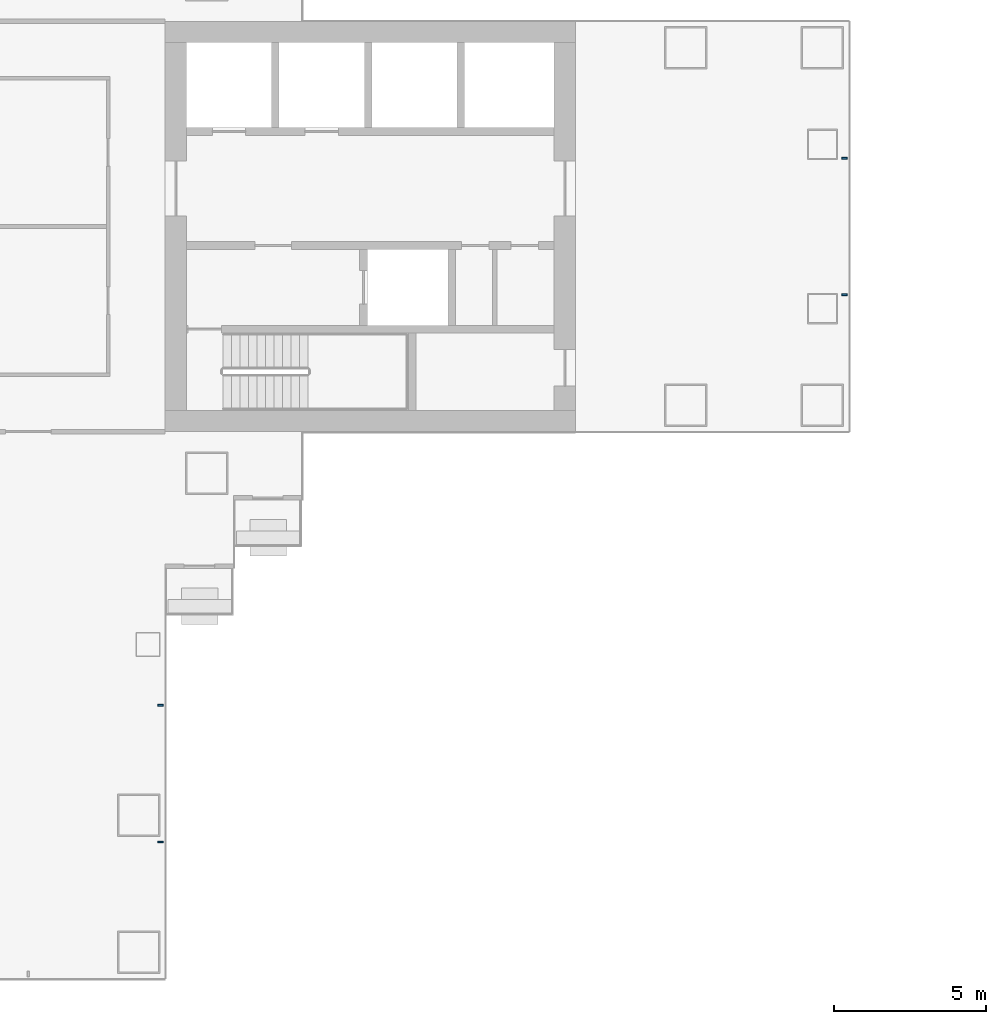
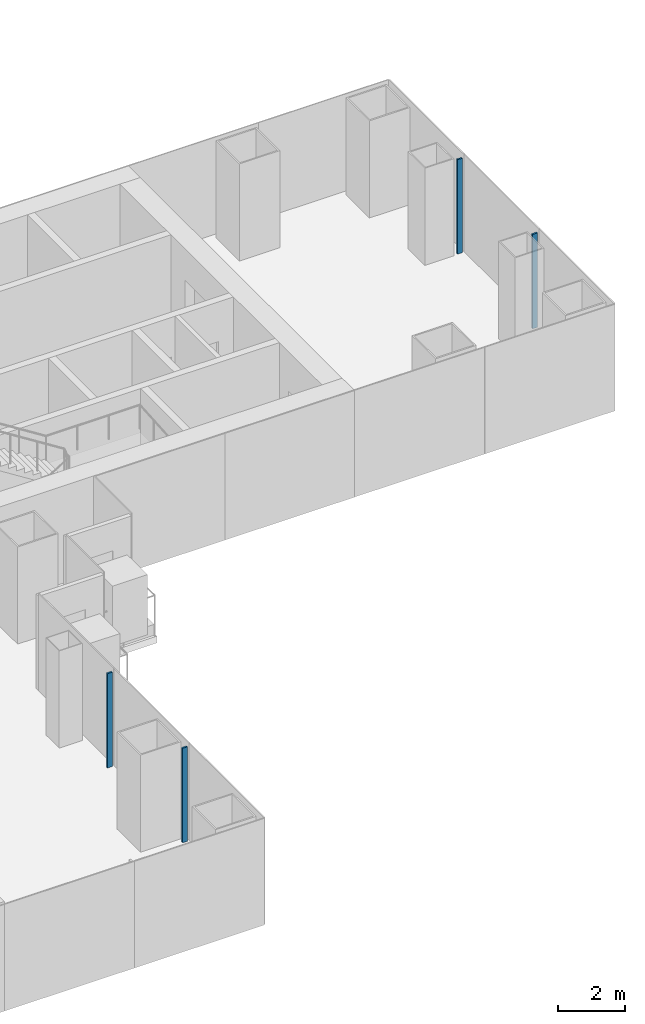
# One storey, part 5 of 21: 4 members, 2 elements without a shape of their own.
"""IFC4 building model written with IfcOpenShell, lengths in metres."""

import ifcopenshell
import ifcopenshell.guid

model = None  # the IFC model being written
_history = None  # IfcOwnerHistory: only IFC2X3 demands one
_inside = {}  # id of a spatial element -> (the spatial element, [elements in it])
_under = {}  # id of a project, library or spatial element -> (it, [spatial elements below it])
_declared = {}  # id of a project -> (the project, [libraries it declares])
_typed = {}  # id of a type object -> (the type object, [elements of that type])
_made_of = {}  # id of a material, layer set ... -> (it, [elements and type objects made of it])


def new_model(schema):
    """Start an empty IFC model of exactly this schema.

    Asked for "IFC4X3", IfcOpenShell would pick the latest addendum, in which some entities
    have other attributes; the version numbers below select the first issue.
    IFC2X3 requires an IfcOwnerHistory on every rooted entity: one is made here for all.
    """
    global model, _history
    if schema == "IFC4X3":
        model = ifcopenshell.file(schema_version=(4, 3, 0, 0))
    else:
        model = ifcopenshell.file(schema=schema)
    _inside.clear()
    _under.clear()
    _declared.clear()
    _typed.clear()
    _made_of.clear()
    _history = None
    if model.schema == "IFC2X3":
        org = make("IfcOrganization", Name="unknown")
        user = make(
            "IfcPersonAndOrganization",
            ThePerson=make("IfcPerson", FamilyName="unknown"),
            TheOrganization=org,
        )
        app = make(
            "IfcApplication",
            ApplicationDeveloper=org,
            Version="unknown",
            ApplicationFullName="unknown",
            ApplicationIdentifier="unknown",
        )
        _history = make(
            "IfcOwnerHistory",
            OwningUser=user,
            OwningApplication=app,
            ChangeAction="ADDED",
            CreationDate=0,
        )
    return model


def make(cls, **values):
    """One entity of the class cls with the attributes given. An attribute that is None is left unset."""
    return model.create_entity(
        cls, **{name: value for name, value in values.items() if value is not None}
    )


def rooted(cls, **values):
    """An entity with a GlobalId (a new one), such as an element, a storey or a relation."""
    return make(cls, GlobalId=ifcopenshell.guid.new(), OwnerHistory=_history, **values)


def si_unit(unit_type, name, prefix=None):
    """IfcSIUnit, for example si_unit("LENGTHUNIT", "METRE", prefix="MILLI")."""
    return make("IfcSIUnit", UnitType=unit_type, Prefix=prefix, Name=name)


def assignment(units):
    """IfcUnitAssignment: the units of a project."""
    return None if units is None else make("IfcUnitAssignment", Units=units)


def point(xyz):
    """IfcCartesianPoint."""
    return None if xyz is None else make("IfcCartesianPoint", Coordinates=xyz)


def direction(xyz):
    """IfcDirection."""
    return None if xyz is None else make("IfcDirection", DirectionRatios=xyz)


def frame(location, z_axis=None, x_axis=None):
    """IfcAxis2Placement3D, a coordinate frame: its origin and axes. An axis left out is left unset."""
    return make(
        "IfcAxis2Placement3D",
        Location=point(location),
        Axis=direction(z_axis),
        RefDirection=direction(x_axis),
    )


def frame_2d(location, x_axis=None):
    """IfcAxis2Placement2D, a coordinate frame in the plane: its origin and x axis."""
    return make(
        "IfcAxis2Placement2D", Location=point(location), RefDirection=direction(x_axis)
    )


def origin():
    """The frame at (0, 0, 0) with its axes left unset."""
    return frame((0.0, 0.0, 0.0))


def origin_2d():
    """The frame at (0, 0) in the plane with its x axis left unset."""
    return frame_2d((0.0, 0.0))


def place(relative_to, where):
    """IfcLocalPlacement: puts the frame where relative to a parent placement (None: the world)."""
    return make(
        "IfcLocalPlacement", PlacementRelTo=relative_to, RelativePlacement=where
    )


def context(
    kind, dimensions, precision=None, world=None, true_north=None, identifier=None
):
    """IfcGeometricRepresentationContext, for example the 3D "Model" context."""
    return make(
        "IfcGeometricRepresentationContext",
        ContextIdentifier=identifier,
        ContextType=kind,
        CoordinateSpaceDimension=dimensions,
        Precision=precision,
        WorldCoordinateSystem=world,
        TrueNorth=true_north,
    )


def subcontext(parent, identifier, kind, view, scale=None):
    """IfcGeometricRepresentationSubContext, for example "Body" below "Model"."""
    return make(
        "IfcGeometricRepresentationSubContext",
        ContextIdentifier=identifier,
        ContextType=kind,
        ParentContext=parent,
        TargetScale=scale,
        TargetView=view,
    )


def project(units=None, contexts=None):
    """IfcProject with its units and contexts."""
    return rooted(
        "IfcProject",
        Name="project",
        RepresentationContexts=contexts,
        UnitsInContext=assignment(units),
    )


def spatial(cls, under=None, at=None, **own):
    """A site, building, storey or space (cls), placed at a placement, below another one or the project."""
    s = rooted(cls, ObjectPlacement=at, **own)
    if under is not None:
        _under.setdefault(under.id(), (under, []))[1].append(s)
    return s


def profile(cls, at=None, kind="AREA", **sizes):
    """A parametric profile (cls). Its sizes go by their IFC names, for example OverallWidth=200.0."""
    return make(cls, ProfileType=kind, Position=at, **sizes)


def rectangle(**sizes):
    """IfcRectangleProfileDef."""
    return profile("IfcRectangleProfileDef", **sizes)


def extrude(swept, where, along, depth):
    """IfcExtrudedAreaSolid: the profile swept, set in the frame where, extruded along a direction by depth."""
    return make(
        "IfcExtrudedAreaSolid",
        SweptArea=swept,
        Position=where,
        ExtrudedDirection=direction(along),
        Depth=depth,
    )


def shape(context_of_items, identifier, shape_type, items):
    """IfcShapeRepresentation: the items that make up one representation, for example the "Body"."""
    return make(
        "IfcShapeRepresentation",
        ContextOfItems=context_of_items,
        RepresentationIdentifier=identifier,
        RepresentationType=shape_type,
        Items=items,
    )


def material(Name=None, Category=None):
    """IfcMaterial."""
    return make("IfcMaterial", Name=Name, Category=Category)


def layer(
    of_material, thickness, ventilated=None, Name=None, Category=None, Priority=None
):
    """IfcMaterialLayer: one layer of a wall or slab, of a material (None: an air gap)."""
    return make(
        "IfcMaterialLayer",
        Material=of_material,
        LayerThickness=thickness,
        IsVentilated=ventilated,
        Name=Name,
        Category=Category,
        Priority=Priority,
    )


def layer_set(layers, Name=None):
    """IfcMaterialLayerSet."""
    return make("IfcMaterialLayerSet", MaterialLayers=layers, LayerSetName=Name)


def material_profile(
    of_material, cross_section, Name=None, Category=None, Priority=None
):
    """IfcMaterialProfile: a cross section and its material."""
    return make(
        "IfcMaterialProfile",
        Name=Name,
        Material=of_material,
        Profile=cross_section,
        Priority=Priority,
        Category=Category,
    )


def profile_set(profiles, Name=None, composite=None):
    """IfcMaterialProfileSet."""
    return make(
        "IfcMaterialProfileSet",
        Name=Name,
        MaterialProfiles=profiles,
        CompositeProfile=composite,
    )


def made_of(thing, what):
    """Note that an element or type object is made of a material, layer set ...; save() writes the relation."""
    if what is not None:
        _made_of.setdefault(what.id(), (what, []))[1].append(thing)
    return thing


def type_object(cls, material=None, **own):
    """A type object (cls), such as IfcWallType, which elements share."""
    return made_of(rooted(cls, **own), material)


def element(
    cls,
    number,
    at=None,
    inside=None,
    cuts=None,
    type_object=None,
    material=None,
    context=None,
    identifier="Body",
    shape_type=None,
    held_by="IfcProductDefinitionShape",
    body=None,
    shapes=None,
    **own,
):
    """One element of the class cls, such as IfcWall. Its Tag is "e" and its number.

    at: its placement. inside: the storey or other place that contains it. cuts: it is an
    opening in that element (IfcRelVoidsElement). A single representation is given by context,
    identifier, shape_type and body (its items); several are given by shapes. held_by: the class
    of the entity that holds the representations. save() writes the other relations.
    """
    e = rooted(cls, Tag="e%d" % number, ObjectPlacement=at, **own)
    if body is not None:
        shapes = [shape(context, identifier, shape_type, body)]
    if shapes is not None:
        e.Representation = make(held_by, Representations=shapes)
    if inside is not None:
        _inside.setdefault(inside.id(), (inside, []))[1].append(e)
    if cuts is not None:
        rooted(
            "IfcRelVoidsElement", RelatingBuildingElement=cuts, RelatedOpeningElement=e
        )
    if type_object is not None:
        _typed.setdefault(type_object.id(), (type_object, []))[1].append(e)
    return made_of(e, material)


def aggregate(whole, parts):
    """IfcRelAggregates: a whole, such as a stair, and the parts it consists of."""
    return rooted("IfcRelAggregates", RelatingObject=whole, RelatedObjects=parts)


def save(model, path):
    """Write the relations noted so far, then the file.

    IfcRelAggregates (storeys below a building ...), IfcRelContainedInSpatialStructure (elements
    in a storey), IfcRelDefinesByType, IfcRelAssociatesMaterial and IfcRelDeclares: one each for
    every whole, place, type object, material and project.
    """
    for whole, parts in _under.values():
        aggregate(whole, parts)
    for where, things in _inside.values():
        rooted(
            "IfcRelContainedInSpatialStructure",
            RelatedElements=things,
            RelatingStructure=where,
        )
    for kind, things in _typed.values():
        rooted("IfcRelDefinesByType", RelatedObjects=things, RelatingType=kind)
    for what, things in _made_of.values():
        rooted("IfcRelAssociatesMaterial", RelatedObjects=things, RelatingMaterial=what)
    for by, libraries in _declared.values():
        rooted("IfcRelDeclares", RelatingContext=by, RelatedDefinitions=libraries)
    model.write(path)


model = new_model("IFC4")

# Units and contexts
model_context = context("Model", 3, precision=1e-05, world=origin(), true_north=direction((0.0, 1.0)))
body_context = subcontext(model_context, "Body", "Model", "MODEL_VIEW")
ifc_project = project(units=[si_unit("LENGTHUNIT", "METRE"), si_unit("AREAUNIT", "SQUARE_METRE"), si_unit("VOLUMEUNIT", "CUBIC_METRE"), si_unit("PLANEANGLEUNIT", "RADIAN"), si_unit("MASSUNIT", "GRAM", prefix="KILO")], contexts=[model_context])

# Site, building, storey
site_placement = place(None, origin())
site = spatial("IfcSite", under=ifc_project, at=site_placement, CompositionType="ELEMENT")
building_placement = place(site_placement, origin())
building = spatial("IfcBuilding", under=site, at=building_placement, Name="Shamsa Quay Exchange Towers", CompositionType="ELEMENT")
storey_placement = place(building_placement, frame((0.0, 0.0, 61.5)))
storey = spatial("IfcBuildingStorey", under=building, at=storey_placement, Name="L13", CompositionType="ELEMENT", Elevation=61.5)

# Curtain wall, members
ifc_material = material(Name="Aluminium EN AW-6063 T6, black anodised", Category="aluminium")
ifc_layer = layer(ifc_material, 0.280029296875)
ifc_layer_set = layer_set([ifc_layer], Name="CW-1 UNITISED VISION GLASS")
curtain_wall_type = type_object("IfcCurtainWallType", Name="CW-1 UNITISED VISION GLASS", PredefinedType="NOTDEFINED", material=ifc_layer_set)
curtain_wall_1_placement = place(storey_placement, origin())
curtain_wall_1 = element("IfcCurtainWall", 1, at=curtain_wall_1_placement, inside=storey, type_object=curtain_wall_type, Name="CW1 T1-FLK-V-E L13", PredefinedType="NOTDEFINED")
ifc_material_profile = material_profile(ifc_material, rectangle(XDim=0.179931640625, YDim=0.06005859375, at=origin_2d()), Name="MU60x180")
ifc_profile_set = profile_set([ifc_material_profile], Name="Aluminium EN AW-6063 T6, black anodised")
member_type = type_object("IfcMemberType", Name="CW1 MULLION 60x180", PredefinedType="MULLION", material=ifc_profile_set)
member_1_placement = place(storey_placement, frame((-27.14990234375, -20.25, 0.0), z_axis=(0.0, 0.0, 1.0), x_axis=(-1.0, 0.0, 0.0)))
member_1 = element("IfcMember", 2, at=member_1_placement, type_object=member_type, Name="CW1 mullion", PredefinedType="MULLION", context=body_context, shape_type="SweptSolid", body=[
    extrude(rectangle(XDim=0.179931640625, YDim=0.06005859375, at=origin_2d()), origin(), (0.0, 0.0, 1.0), 3.449951171875),
])
member_2_placement = place(storey_placement, frame((-27.14990234375, -15.75, 0.0), z_axis=(0.0, 0.0, 1.0), x_axis=(-1.0, 0.0, 0.0)))
member_2 = element("IfcMember", 3, at=member_2_placement, type_object=member_type, Name="CW1 mullion", PredefinedType="MULLION", context=body_context, shape_type="SweptSolid", body=[
    extrude(rectangle(XDim=0.179931640625, YDim=0.06005859375, at=origin_2d()), origin(), (0.0, 0.0, 1.0), 3.449951171875),
])
aggregate(curtain_wall_1, [member_1, member_2])

curtain_wall_2_placement = place(storey_placement, origin())
curtain_wall_2 = element("IfcCurtainWall", 4, at=curtain_wall_2_placement, inside=storey, type_object=curtain_wall_type, Name="CW1 T1-END-U+ L13", PredefinedType="NOTDEFINED")
member_3_placement = place(storey_placement, frame((-4.64990234375, -2.25, 0.0), z_axis=(0.0, 0.0, 1.0), x_axis=(-1.0, 0.0, 0.0)))
member_3 = element("IfcMember", 5, at=member_3_placement, type_object=member_type, Name="CW1 mullion", PredefinedType="MULLION", context=body_context, shape_type="SweptSolid", body=[
    extrude(rectangle(XDim=0.179931640625, YDim=0.06005859375, at=origin_2d()), origin(), (0.0, 0.0, 1.0), 3.449951171875),
])
member_4_placement = place(storey_placement, frame((-4.64990234375, 2.25, 0.0), z_axis=(0.0, 0.0, 1.0), x_axis=(-1.0, 0.0, 0.0)))
member_4 = element("IfcMember", 6, at=member_4_placement, type_object=member_type, Name="CW1 mullion", PredefinedType="MULLION", context=body_context, shape_type="SweptSolid", body=[
    extrude(rectangle(XDim=0.179931640625, YDim=0.06005859375, at=origin_2d()), origin(), (0.0, 0.0, 1.0), 3.449951171875),
])
aggregate(curtain_wall_2, [member_3, member_4])

save(model, "model.ifc")
